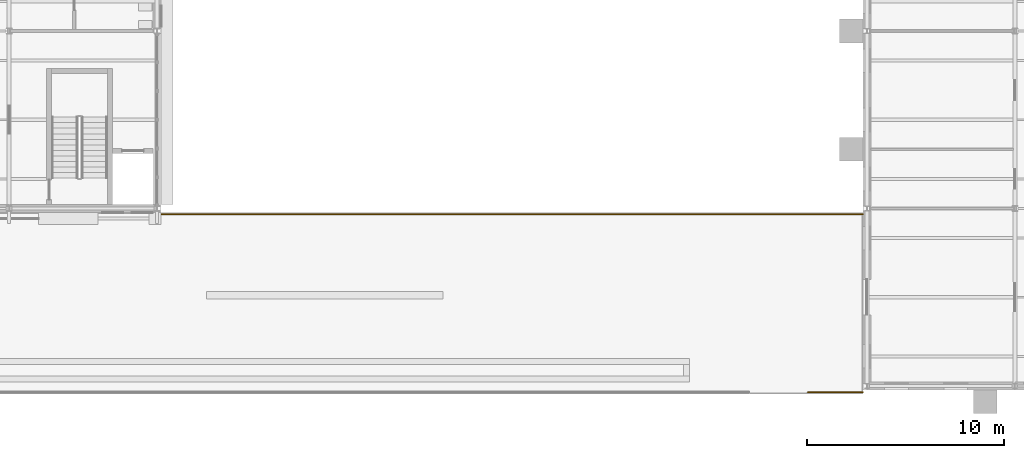
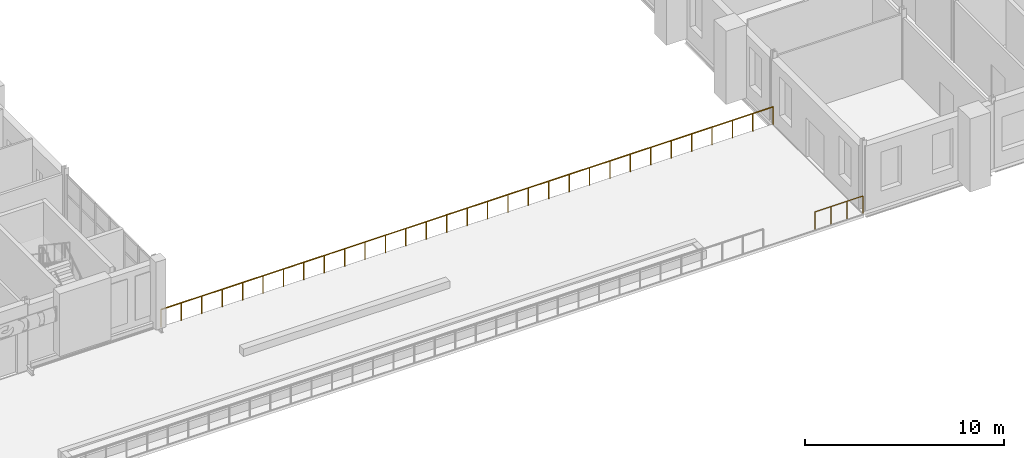
# One storey, part 125 of 134: 2 railings.
"""IFC4 building model written with IfcOpenShell, lengths in metres."""

import ifcopenshell
import ifcopenshell.guid

model = None  # the IFC model being written
_history = None  # IfcOwnerHistory: only IFC2X3 demands one
_inside = {}  # id of a spatial element -> (the spatial element, [elements in it])
_under = {}  # id of a project, library or spatial element -> (it, [spatial elements below it])
_declared = {}  # id of a project -> (the project, [libraries it declares])
_typed = {}  # id of a type object -> (the type object, [elements of that type])
_made_of = {}  # id of a material, layer set ... -> (it, [elements and type objects made of it])


def new_model(schema):
    """Start an empty IFC model of exactly this schema.

    Asked for "IFC4X3", IfcOpenShell would pick the latest addendum, in which some entities
    have other attributes; the version numbers below select the first issue.
    IFC2X3 requires an IfcOwnerHistory on every rooted entity: one is made here for all.
    """
    global model, _history
    if schema == "IFC4X3":
        model = ifcopenshell.file(schema_version=(4, 3, 0, 0))
    else:
        model = ifcopenshell.file(schema=schema)
    _inside.clear()
    _under.clear()
    _declared.clear()
    _typed.clear()
    _made_of.clear()
    _history = None
    if model.schema == "IFC2X3":
        org = make("IfcOrganization", Name="unknown")
        user = make(
            "IfcPersonAndOrganization",
            ThePerson=make("IfcPerson", FamilyName="unknown"),
            TheOrganization=org,
        )
        app = make(
            "IfcApplication",
            ApplicationDeveloper=org,
            Version="unknown",
            ApplicationFullName="unknown",
            ApplicationIdentifier="unknown",
        )
        _history = make(
            "IfcOwnerHistory",
            OwningUser=user,
            OwningApplication=app,
            ChangeAction="ADDED",
            CreationDate=0,
        )
    return model


def make(cls, **values):
    """One entity of the class cls with the attributes given. An attribute that is None is left unset."""
    return model.create_entity(
        cls, **{name: value for name, value in values.items() if value is not None}
    )


def rooted(cls, **values):
    """An entity with a GlobalId (a new one), such as an element, a storey or a relation."""
    return make(cls, GlobalId=ifcopenshell.guid.new(), OwnerHistory=_history, **values)


def si_unit(unit_type, name, prefix=None):
    """IfcSIUnit, for example si_unit("LENGTHUNIT", "METRE", prefix="MILLI")."""
    return make("IfcSIUnit", UnitType=unit_type, Prefix=prefix, Name=name)


def assignment(units):
    """IfcUnitAssignment: the units of a project."""
    return None if units is None else make("IfcUnitAssignment", Units=units)


def point(xyz):
    """IfcCartesianPoint."""
    return None if xyz is None else make("IfcCartesianPoint", Coordinates=xyz)


def direction(xyz):
    """IfcDirection."""
    return None if xyz is None else make("IfcDirection", DirectionRatios=xyz)


def frame(location, z_axis=None, x_axis=None):
    """IfcAxis2Placement3D, a coordinate frame: its origin and axes. An axis left out is left unset."""
    return make(
        "IfcAxis2Placement3D",
        Location=point(location),
        Axis=direction(z_axis),
        RefDirection=direction(x_axis),
    )


def frame_2d(location, x_axis=None):
    """IfcAxis2Placement2D, a coordinate frame in the plane: its origin and x axis."""
    return make(
        "IfcAxis2Placement2D", Location=point(location), RefDirection=direction(x_axis)
    )


def origin():
    """The frame at (0, 0, 0) with its axes left unset."""
    return frame((0.0, 0.0, 0.0))


def origin_2d():
    """The frame at (0, 0) in the plane with its x axis left unset."""
    return frame_2d((0.0, 0.0))


def place(relative_to, where):
    """IfcLocalPlacement: puts the frame where relative to a parent placement (None: the world)."""
    return make(
        "IfcLocalPlacement", PlacementRelTo=relative_to, RelativePlacement=where
    )


def context(
    kind, dimensions, precision=None, world=None, true_north=None, identifier=None
):
    """IfcGeometricRepresentationContext, for example the 3D "Model" context."""
    return make(
        "IfcGeometricRepresentationContext",
        ContextIdentifier=identifier,
        ContextType=kind,
        CoordinateSpaceDimension=dimensions,
        Precision=precision,
        WorldCoordinateSystem=world,
        TrueNorth=true_north,
    )


def subcontext(parent, identifier, kind, view, scale=None):
    """IfcGeometricRepresentationSubContext, for example "Body" below "Model"."""
    return make(
        "IfcGeometricRepresentationSubContext",
        ContextIdentifier=identifier,
        ContextType=kind,
        ParentContext=parent,
        TargetScale=scale,
        TargetView=view,
    )


def project(units=None, contexts=None):
    """IfcProject with its units and contexts."""
    return rooted(
        "IfcProject",
        Name="project",
        RepresentationContexts=contexts,
        UnitsInContext=assignment(units),
    )


def spatial(cls, under=None, at=None, **own):
    """A site, building, storey or space (cls), placed at a placement, below another one or the project."""
    s = rooted(cls, ObjectPlacement=at, **own)
    if under is not None:
        _under.setdefault(under.id(), (under, []))[1].append(s)
    return s


def profile(cls, at=None, kind="AREA", **sizes):
    """A parametric profile (cls). Its sizes go by their IFC names, for example OverallWidth=200.0."""
    return make(cls, ProfileType=kind, Position=at, **sizes)


def circle(**sizes):
    """IfcCircleProfileDef."""
    return profile("IfcCircleProfileDef", **sizes)


def extrude(swept, where, along, depth):
    """IfcExtrudedAreaSolid: the profile swept, set in the frame where, extruded along a direction by depth."""
    return make(
        "IfcExtrudedAreaSolid",
        SweptArea=swept,
        Position=where,
        ExtrudedDirection=direction(along),
        Depth=depth,
    )


def shape(context_of_items, identifier, shape_type, items):
    """IfcShapeRepresentation: the items that make up one representation, for example the "Body"."""
    return make(
        "IfcShapeRepresentation",
        ContextOfItems=context_of_items,
        RepresentationIdentifier=identifier,
        RepresentationType=shape_type,
        Items=items,
    )


def material(Name=None, Category=None):
    """IfcMaterial."""
    return make("IfcMaterial", Name=Name, Category=Category)


def made_of(thing, what):
    """Note that an element or type object is made of a material, layer set ...; save() writes the relation."""
    if what is not None:
        _made_of.setdefault(what.id(), (what, []))[1].append(thing)
    return thing


def type_object(cls, material=None, **own):
    """A type object (cls), such as IfcWallType, which elements share."""
    return made_of(rooted(cls, **own), material)


def element(
    cls,
    number,
    at=None,
    inside=None,
    cuts=None,
    type_object=None,
    material=None,
    context=None,
    identifier="Body",
    shape_type=None,
    held_by="IfcProductDefinitionShape",
    body=None,
    shapes=None,
    **own,
):
    """One element of the class cls, such as IfcWall. Its Tag is "e" and its number.

    at: its placement. inside: the storey or other place that contains it. cuts: it is an
    opening in that element (IfcRelVoidsElement). A single representation is given by context,
    identifier, shape_type and body (its items); several are given by shapes. held_by: the class
    of the entity that holds the representations. save() writes the other relations.
    """
    e = rooted(cls, Tag="e%d" % number, ObjectPlacement=at, **own)
    if body is not None:
        shapes = [shape(context, identifier, shape_type, body)]
    if shapes is not None:
        e.Representation = make(held_by, Representations=shapes)
    if inside is not None:
        _inside.setdefault(inside.id(), (inside, []))[1].append(e)
    if cuts is not None:
        rooted(
            "IfcRelVoidsElement", RelatingBuildingElement=cuts, RelatedOpeningElement=e
        )
    if type_object is not None:
        _typed.setdefault(type_object.id(), (type_object, []))[1].append(e)
    return made_of(e, material)


def aggregate(whole, parts):
    """IfcRelAggregates: a whole, such as a stair, and the parts it consists of."""
    return rooted("IfcRelAggregates", RelatingObject=whole, RelatedObjects=parts)


def save(model, path):
    """Write the relations noted so far, then the file.

    IfcRelAggregates (storeys below a building ...), IfcRelContainedInSpatialStructure (elements
    in a storey), IfcRelDefinesByType, IfcRelAssociatesMaterial and IfcRelDeclares: one each for
    every whole, place, type object, material and project.
    """
    for whole, parts in _under.values():
        aggregate(whole, parts)
    for where, things in _inside.values():
        rooted(
            "IfcRelContainedInSpatialStructure",
            RelatedElements=things,
            RelatingStructure=where,
        )
    for kind, things in _typed.values():
        rooted("IfcRelDefinesByType", RelatedObjects=things, RelatingType=kind)
    for what, things in _made_of.values():
        rooted("IfcRelAssociatesMaterial", RelatedObjects=things, RelatingMaterial=what)
    for by, libraries in _declared.values():
        rooted("IfcRelDeclares", RelatingContext=by, RelatedDefinitions=libraries)
    model.write(path)


model = new_model("IFC4")

# Units and contexts
model_context = context("Model", 3, precision=1e-05, world=origin(), true_north=direction((0.0, 1.0)))
body_context = subcontext(model_context, "Body", "Model", "MODEL_VIEW")
ifc_project = project(units=[si_unit("LENGTHUNIT", "METRE"), si_unit("AREAUNIT", "SQUARE_METRE"), si_unit("VOLUMEUNIT", "CUBIC_METRE"), si_unit("PLANEANGLEUNIT", "RADIAN"), si_unit("MASSUNIT", "GRAM", prefix="KILO")], contexts=[model_context])

# Site, building, storey
site_placement = place(None, origin())
site = spatial("IfcSite", under=ifc_project, at=site_placement, CompositionType="ELEMENT")
building_placement = place(site_placement, origin())
building = spatial("IfcBuilding", under=site, at=building_placement, Name="Golden Quay Civic Hall", CompositionType="ELEMENT")
storey_placement = place(building_placement, frame((0.0, 0.0, 5.39990234375)))
storey = spatial("IfcBuildingStorey", under=building, at=storey_placement, Name="L01", CompositionType="ELEMENT", Elevation=5.39990234375)

# Railings
ifc_material = material(Name="Stainless steel", Category="steel")
railing_type = type_object("IfcRailingType", Name="Stainless steel guard 1100", PredefinedType="GUARDRAIL", material=ifc_material)
railing_1_placement = place(storey_placement, frame((150.0, -9.320068359375, 0.0)))
element("IfcRailing", 1, at=railing_1_placement, inside=storey, type_object=railing_type, Name="Terrace guard front 3", PredefinedType="GUARDRAIL", context=body_context, shape_type="SweptSolid", body=[
    extrude(circle(Radius=0.02490234375, at=origin_2d()), frame((0.0, 0.0, 1.0751953125), z_axis=(1.0, 0.0, 0.0), x_axis=(0.0, 1.0, 0.0)), (0.0, 0.0, 1.0), 2.800048828125),
    extrude(circle(Radius=0.02001953125, at=origin_2d()), origin(), (0.0, 0.0, 1.0), 1.050048828125),
    extrude(circle(Radius=0.02001953125, at=origin_2d()), frame((0.933349609375, 0.0, 0.0)), (0.0, 0.0, 1.0), 1.050048828125),
    extrude(circle(Radius=0.02001953125, at=origin_2d()), frame((1.86669921875, 0.0, 0.0)), (0.0, 0.0, 1.0), 1.050048828125),
    extrude(circle(Radius=0.02001953125, at=origin_2d()), frame((2.800048828125, 0.0, 0.0)), (0.0, 0.0, 1.0), 1.050048828125),
])
railing_2_placement = place(storey_placement, frame((117.199951171875, -0.280029296875, 0.0)))
element("IfcRailing", 2, at=railing_2_placement, inside=storey, type_object=railing_type, Name="Terrace guard court 2", PredefinedType="GUARDRAIL", context=body_context, shape_type="SweptSolid", body=[
    extrude(circle(Radius=0.02490234375, at=origin_2d()), frame((0.0, 0.0, 1.0751953125), z_axis=(1.0, 0.0, 0.0), x_axis=(0.0, 1.0, 0.0)), (0.0, 0.0, 1.0), 35.60009765625),
    extrude(circle(Radius=0.02001953125, at=origin_2d()), origin(), (0.0, 0.0, 1.0), 1.050048828125),
    extrude(circle(Radius=0.02001953125, at=origin_2d()), frame((1.186767578125, 0.0, 0.0)), (0.0, 0.0, 1.0), 1.050048828125),
    extrude(circle(Radius=0.02001953125, at=origin_2d()), frame((2.373291015625, 0.0, 0.0)), (0.0, 0.0, 1.0), 1.050048828125),
    extrude(circle(Radius=0.02001953125, at=origin_2d()), frame((3.56005859375, 0.0, 0.0)), (0.0, 0.0, 1.0), 1.050048828125),
    extrude(circle(Radius=0.02001953125, at=origin_2d()), frame((4.74658203125, 0.0, 0.0)), (0.0, 0.0, 1.0), 1.050048828125),
    extrude(circle(Radius=0.02001953125, at=origin_2d()), frame((5.933349609375, 0.0, 0.0)), (0.0, 0.0, 1.0), 1.050048828125),
    extrude(circle(Radius=0.02001953125, at=origin_2d()), frame((7.1201171875, 0.0, 0.0)), (0.0, 0.0, 1.0), 1.050048828125),
    extrude(circle(Radius=0.02001953125, at=origin_2d()), frame((8.306640625, 0.0, 0.0)), (0.0, 0.0, 1.0), 1.050048828125),
    extrude(circle(Radius=0.02001953125, at=origin_2d()), frame((9.493408203125, 0.0, 0.0)), (0.0, 0.0, 1.0), 1.050048828125),
    extrude(circle(Radius=0.02001953125, at=origin_2d()), frame((10.679931640625, 0.0, 0.0)), (0.0, 0.0, 1.0), 1.050048828125),
    extrude(circle(Radius=0.02001953125, at=origin_2d()), frame((11.86669921875, 0.0, 0.0)), (0.0, 0.0, 1.0), 1.050048828125),
    extrude(circle(Radius=0.02001953125, at=origin_2d()), frame((13.053466796875, 0.0, 0.0)), (0.0, 0.0, 1.0), 1.050048828125),
    extrude(circle(Radius=0.02001953125, at=origin_2d()), frame((14.239990234375, 0.0, 0.0)), (0.0, 0.0, 1.0), 1.050048828125),
    extrude(circle(Radius=0.02001953125, at=origin_2d()), frame((15.4267578125, 0.0, 0.0)), (0.0, 0.0, 1.0), 1.050048828125),
    extrude(circle(Radius=0.02001953125, at=origin_2d()), frame((16.61328125, 0.0, 0.0)), (0.0, 0.0, 1.0), 1.050048828125),
    extrude(circle(Radius=0.02001953125, at=origin_2d()), frame((17.800048828125, 0.0, 0.0)), (0.0, 0.0, 1.0), 1.050048828125),
    extrude(circle(Radius=0.02001953125, at=origin_2d()), frame((18.98681640625, 0.0, 0.0)), (0.0, 0.0, 1.0), 1.050048828125),
    extrude(circle(Radius=0.02001953125, at=origin_2d()), frame((20.17333984375, 0.0, 0.0)), (0.0, 0.0, 1.0), 1.050048828125),
    extrude(circle(Radius=0.02001953125, at=origin_2d()), frame((21.360107421875, 0.0, 0.0)), (0.0, 0.0, 1.0), 1.050048828125),
    extrude(circle(Radius=0.02001953125, at=origin_2d()), frame((22.546630859375, 0.0, 0.0)), (0.0, 0.0, 1.0), 1.050048828125),
    extrude(circle(Radius=0.02001953125, at=origin_2d()), frame((23.7333984375, 0.0, 0.0)), (0.0, 0.0, 1.0), 1.050048828125),
    extrude(circle(Radius=0.02001953125, at=origin_2d()), frame((24.920166015625, 0.0, 0.0)), (0.0, 0.0, 1.0), 1.050048828125),
    extrude(circle(Radius=0.02001953125, at=origin_2d()), frame((26.106689453125, 0.0, 0.0)), (0.0, 0.0, 1.0), 1.050048828125),
    extrude(circle(Radius=0.02001953125, at=origin_2d()), frame((27.29345703125, 0.0, 0.0)), (0.0, 0.0, 1.0), 1.050048828125),
    extrude(circle(Radius=0.02001953125, at=origin_2d()), frame((28.47998046875, 0.0, 0.0)), (0.0, 0.0, 1.0), 1.050048828125),
    extrude(circle(Radius=0.02001953125, at=origin_2d()), frame((29.666748046875, 0.0, 0.0)), (0.0, 0.0, 1.0), 1.050048828125),
    extrude(circle(Radius=0.02001953125, at=origin_2d()), frame((30.853515625, 0.0, 0.0)), (0.0, 0.0, 1.0), 1.050048828125),
    extrude(circle(Radius=0.02001953125, at=origin_2d()), frame((32.0400390625, 0.0, 0.0)), (0.0, 0.0, 1.0), 1.050048828125),
    extrude(circle(Radius=0.02001953125, at=origin_2d()), frame((33.226806640625, 0.0, 0.0)), (0.0, 0.0, 1.0), 1.050048828125),
    extrude(circle(Radius=0.02001953125, at=origin_2d()), frame((34.413330078125, 0.0, 0.0)), (0.0, 0.0, 1.0), 1.050048828125),
    extrude(circle(Radius=0.02001953125, at=origin_2d()), frame((35.60009765625, 0.0, 0.0)), (0.0, 0.0, 1.0), 1.050048828125),
])

save(model, "model.ifc")
